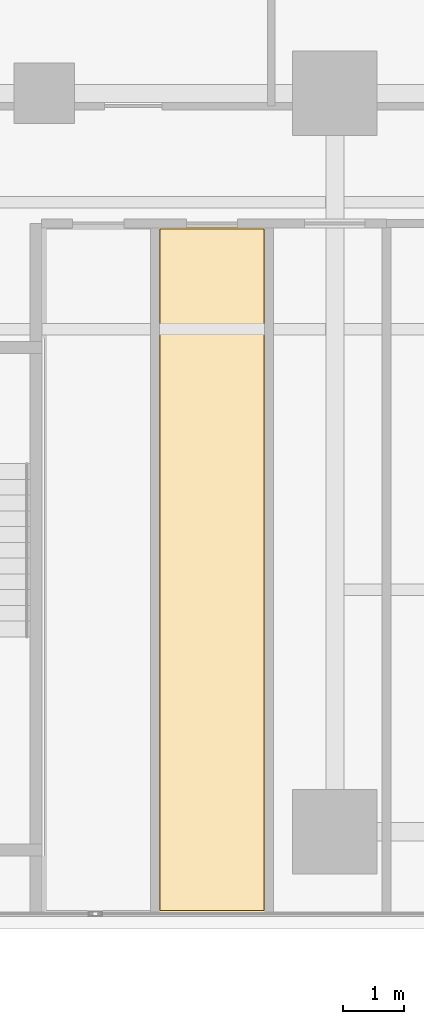
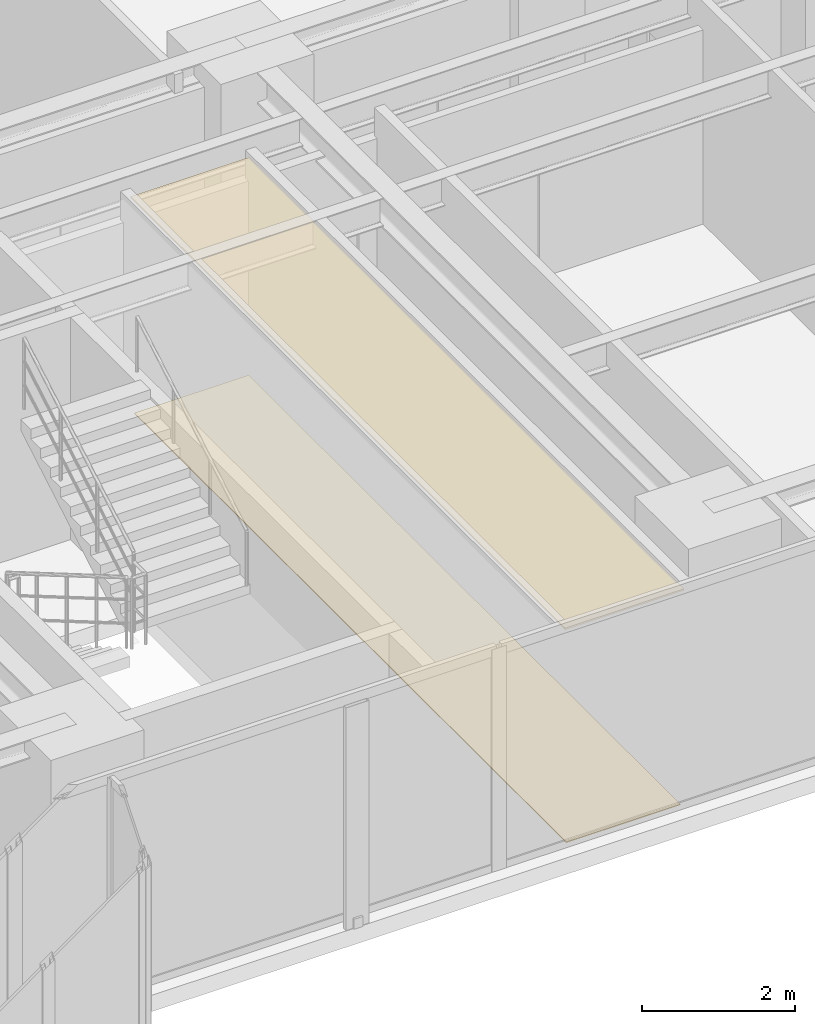
# One storey, part 25 of 26: 2 coverings.
"""IFC4 building model written with IfcOpenShell, lengths in metres."""

from ifc_helpers import new_model, si_unit, direction, frame, origin, place, context, subcontext, project, spatial, polyline, outline, extrude, material, layer, layer_set, type_object, element, save


model = new_model("IFC4")

# Units and contexts
model_context = context("Model", 3, precision=1e-05, world=origin(), true_north=direction((0.0, 1.0)))
body_context = subcontext(model_context, "Body", "Model", "MODEL_VIEW")
ifc_project = project(units=[si_unit("LENGTHUNIT", "METRE"), si_unit("AREAUNIT", "SQUARE_METRE"), si_unit("VOLUMEUNIT", "CUBIC_METRE"), si_unit("PLANEANGLEUNIT", "RADIAN"), si_unit("MASSUNIT", "GRAM", prefix="KILO")], contexts=[model_context])

# Site, building, storey
site_placement = place(None, origin())
site = spatial("IfcSite", under=ifc_project, at=site_placement, CompositionType="ELEMENT")
building_placement = place(site_placement, origin())
building = spatial("IfcBuilding", under=site, at=building_placement, Name="Kolvaren Waterfront Exchange", CompositionType="ELEMENT")
storey_placement = place(building_placement, frame((0.0, 0.0, 122.10009765625)))
storey = spatial("IfcBuildingStorey", under=building, at=storey_placement, Name="L31", CompositionType="ELEMENT", Elevation=122.10009765625)

# Coverings
ifc_material_1 = material(Name="Mineral fibre acoustic ceiling tile")
ifc_layer_1 = layer(ifc_material_1, 0.02490234375, Name="Mineral fibre acoustic ceiling tile")
ifc_layer_set_1 = layer_set([ifc_layer_1], Name="Mineral fibre acoustic ceiling tile")
covering_type_1 = type_object("IfcCoveringType", Name="ARC-CEIL-ACOUSTIC-25", PredefinedType="CEILING", material=ifc_layer_set_1)
covering_1_placement = place(storey_placement, frame((0.0, 0.0, 3.4248046875)))
element("IfcCovering", 1, at=covering_1_placement, inside=storey, type_object=covering_type_1, Name="L31 acoustic suspended ceiling 3", PredefinedType="CEILING", context=body_context, shape_type="SweptSolid", body=[
    extrude(outline(polyline([(35.6650390625, 3.864990234375), (35.6650390625, 15.195068359375), (33.875, 15.195068359375), (33.875, 3.864990234375), (35.6650390625, 3.864990234375)])), origin(), (0.0, 0.0, 1.0), 0.025146484375),
])
ifc_material_2 = material(Name="Slip-resistant porcelain tile")
ifc_layer_2 = layer(ifc_material_2, 0.014892578125, Name="Slip-resistant porcelain tile")
ifc_layer_set_2 = layer_set([ifc_layer_2], Name="Slip-resistant porcelain tile")
covering_type_2 = type_object("IfcCoveringType", Name="ARC-FLR-PORC-15", PredefinedType="FLOORING", material=ifc_layer_set_2)
covering_2_placement = place(storey_placement, origin())
element("IfcCovering", 2, at=covering_2_placement, inside=storey, type_object=covering_type_2, Name="L31 floor finish 3", PredefinedType="FLOORING", context=body_context, shape_type="SweptSolid", body=[
    extrude(outline(polyline([(33.909912109375, 15.159912109375), (33.909912109375, 3.89990234375), (35.6298828125, 3.89990234375), (35.6298828125, 15.159912109375), (33.909912109375, 15.159912109375)])), origin(), (0.0, 0.0, 1.0), 0.014892578125),
])

save(model, "model.ifc")
